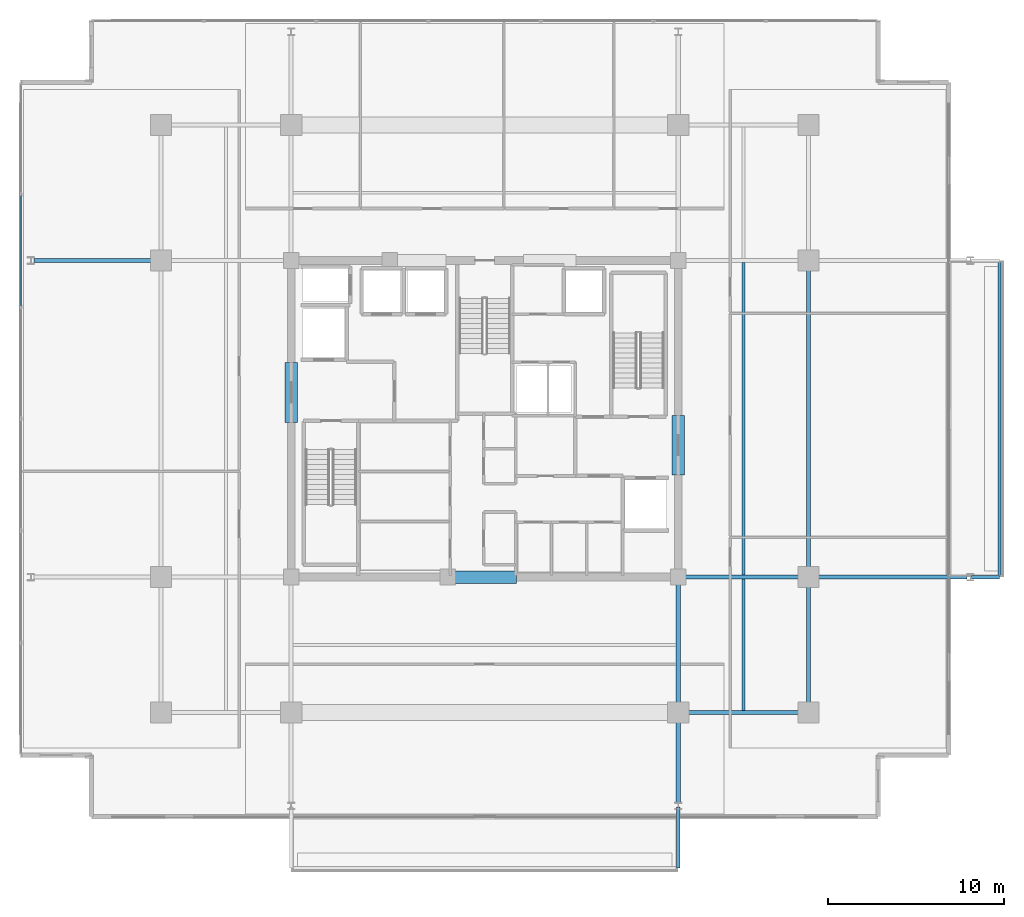
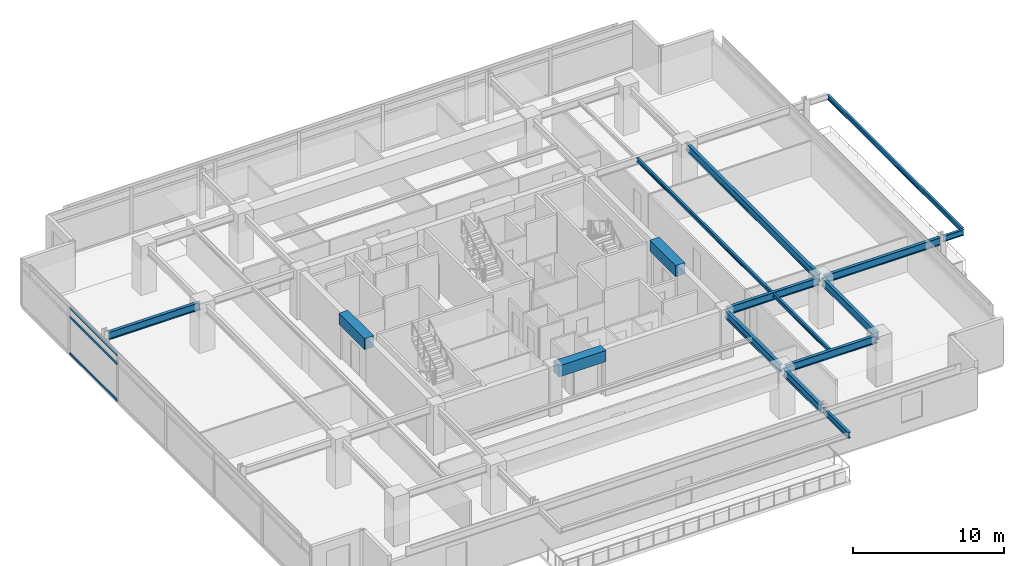
# One storey, part 6 of 24: 16 beams, 3 members, 1 element without a shape of its own.
"""IFC4 building model written with IfcOpenShell, lengths in metres."""

from ifc_helpers import new_model, si_unit, direction, frame, origin, origin_2d, place, context, subcontext, project, spatial, rectangle, hollow_rectangle, i_section, extrude, material, material_profile, profile_set, type_object, element, aggregate, save


model = new_model("IFC4")

# Units and contexts
model_context = context("Model", 3, precision=1e-05, world=origin(), true_north=direction((0.0, 1.0)))
body_context = subcontext(model_context, "Body", "Model", "MODEL_VIEW")
ifc_project = project(units=[si_unit("LENGTHUNIT", "METRE"), si_unit("AREAUNIT", "SQUARE_METRE"), si_unit("VOLUMEUNIT", "CUBIC_METRE"), si_unit("PLANEANGLEUNIT", "RADIAN"), si_unit("MASSUNIT", "GRAM", prefix="KILO")], contexts=[model_context])

# Site, building, storey
site_placement = place(None, origin())
site = spatial("IfcSite", under=ifc_project, at=site_placement, CompositionType="ELEMENT")
building_placement = place(site_placement, origin())
building = spatial("IfcBuilding", under=site, at=building_placement, Name="Kovane Verandah Tower", CompositionType="ELEMENT")
storey_placement = place(building_placement, frame((0.0, 0.0, 259.199951171875)))
storey = spatial("IfcBuildingStorey", under=building, at=storey_placement, Name="L60", CompositionType="ELEMENT", Elevation=259.199951171875)

# Beams
ifc_material_1 = material(Name="Concrete C60/75", Category="concrete")
ifc_material_profile_1 = material_profile(ifc_material_1, rectangle(XDim=0.699951171875, YDim=0.89990234375, at=origin_2d()), Name="RCB700x900")
ifc_profile_set_1 = profile_set([ifc_material_profile_1], Name="Concrete C60/75")
beam_type_1 = type_object("IfcBeamType", Name="BM-LINTEL-700x900", PredefinedType="LINTEL", material=ifc_profile_set_1)
beam_1_placement = place(storey_placement, frame((38.199951171875, 18.5, 3.3349609375), z_axis=(1.0, 0.0, 0.0), x_axis=(0.0, 1.0, 0.0)))
element("IfcBeam", 1, at=beam_1_placement, inside=storey, type_object=beam_type_1, Name="L60 Core Coupling Lintel CL-S", PredefinedType="LINTEL", context=body_context, shape_type="SweptSolid", body=[
    extrude(rectangle(XDim=0.699951171875, YDim=0.89990234375, at=origin_2d()), origin(), (0.0, 0.0, 1.0), 3.60009765625),
])
for number, where, z_axis, x_axis, name in (
    (2, (29.0, 27.300048828125, 3.3349609375), (0.0, 1.0, 0.0), (-1.0, 0.0, 0.0), "L60 Core Coupling Lintel CL-W"),
    (3, (51.0, 24.300048828125, 3.3349609375), (0.0, 1.0, 0.0), (-1.0, 0.0, 0.0), "L60 Core Coupling Lintel CL-E"),
):
    element("IfcBeam", number, at=place(storey_placement, frame(where, z_axis=z_axis, x_axis=x_axis)), inside=storey, type_object=beam_type_1, Name=name, PredefinedType="LINTEL", context=body_context, shape_type="SweptSolid", body=[
        extrude(rectangle(XDim=0.699951171875, YDim=0.89990234375, at=origin_2d()), origin(), (0.0, 0.0, 1.0), 3.39990234375),
    ])
ifc_material_2 = material(Name="Steel S355", Category="steel")
ifc_material_profile_2 = material_profile(ifc_material_2, i_section(OverallWidth=0.230224609375, OverallDepth=0.6171875, WebThickness=0.01318359375, FlangeThickness=0.022216796875, FilletRadius=0.0126953125, at=origin_2d()), Name="UB610x229x140")
ifc_profile_set_2 = profile_set([ifc_material_profile_2], Name="Steel S355")
beam_type_2 = type_object("IfcBeamType", Name="BM-UB610x140", PredefinedType="BEAM", material=ifc_profile_set_2)
beam_2_placement = place(storey_placement, frame((51.179931640625, 10.800048828125, 3.4765625), z_axis=(1.0, 0.0, 0.0), x_axis=(0.0, 1.0, 0.0)))
element("IfcBeam", 4, at=beam_2_placement, inside=storey, type_object=beam_type_2, Name="L60 Primary Tower Girder G-RS3", PredefinedType="BEAM", context=body_context, shape_type="SweptSolid", body=[
    extrude(i_section(OverallWidth=0.230224609375, OverallDepth=0.6171875, WebThickness=0.01318359375, FlangeThickness=0.022216796875, FilletRadius=0.0126953125, at=origin_2d()), origin(), (0.0, 0.0, 1.0), 7.0400390625),
])
beam_3_placement = place(storey_placement, frame((58.39990234375, 10.97998046875, 3.4765625), z_axis=(0.0, 1.0, 0.0), x_axis=(-1.0, 0.0, 0.0)))
element("IfcBeam", 5, at=beam_3_placement, inside=storey, type_object=beam_type_2, Name="L60 Primary Tower Girder G-RE1", PredefinedType="BEAM", context=body_context, shape_type="SweptSolid", body=[
    extrude(i_section(OverallWidth=0.230224609375, OverallDepth=0.6171875, WebThickness=0.01318359375, FlangeThickness=0.022216796875, FilletRadius=0.0126953125, at=origin_2d()), origin(), (0.0, 0.0, 1.0), 7.340087890625),
])
beam_4_placement = place(storey_placement, frame((58.39990234375, 18.679931640625, 3.4765625), z_axis=(0.0, 1.0, 0.0), x_axis=(-1.0, 0.0, 0.0)))
element("IfcBeam", 6, at=beam_4_placement, inside=storey, type_object=beam_type_2, Name="L60 Primary Tower Girder G-RE2", PredefinedType="BEAM", context=body_context, shape_type="SweptSolid", body=[
    extrude(i_section(OverallWidth=0.230224609375, OverallDepth=0.6171875, WebThickness=0.01318359375, FlangeThickness=0.022216796875, FilletRadius=0.0126953125, at=origin_2d()), origin(), (0.0, 0.0, 1.0), 17.64013671875),
])
beam_5_placement = place(storey_placement, frame((51.179931640625, 18.5, 3.4765625), z_axis=(1.0, 0.0, 0.0), x_axis=(0.0, 1.0, 0.0)))
element("IfcBeam", 7, at=beam_5_placement, inside=storey, type_object=beam_type_2, Name="L60 Primary Tower Girder G-E1", PredefinedType="BEAM", context=body_context, shape_type="SweptSolid", body=[
    extrude(i_section(OverallWidth=0.230224609375, OverallDepth=0.6171875, WebThickness=0.01318359375, FlangeThickness=0.022216796875, FilletRadius=0.0126953125, at=origin_2d()), origin(), (0.0, 0.0, 1.0), 7.0400390625),
])
beam_6_placement = place(storey_placement, frame((51.0, 18.320068359375, 3.4765625), z_axis=(0.0, -1.0, 0.0), x_axis=(1.0, 0.0, 0.0)))
element("IfcBeam", 8, at=beam_6_placement, inside=storey, type_object=beam_type_2, Name="L60 Primary Tower Girder G-S2", PredefinedType="BEAM", context=body_context, shape_type="SweptSolid", body=[
    extrude(i_section(OverallWidth=0.230224609375, OverallDepth=0.6171875, WebThickness=0.01318359375, FlangeThickness=0.022216796875, FilletRadius=0.0126953125, at=origin_2d()), origin(), (0.0, 0.0, 1.0), 7.340087890625),
])
beam_7_placement = place(storey_placement, frame((21.419921875, 36.5, 3.451416015625), z_axis=(-1.0, 0.0, 0.0), x_axis=(0.0, -1.0, 0.0)))
element("IfcBeam", 9, at=beam_7_placement, inside=storey, type_object=beam_type_2, Name="L60 Primary Tower Girder G-VW2", PredefinedType="BEAM", context=body_context, shape_type="SweptSolid", body=[
    extrude(i_section(OverallWidth=0.230224609375, OverallDepth=0.6171875, WebThickness=0.01318359375, FlangeThickness=0.022216796875, FilletRadius=0.0126953125, at=origin_2d()), origin(), (0.0, 0.0, 1.0), 7.0400390625),
])
beam_8_placement = place(storey_placement, frame((58.580078125, 18.5, 3.451416015625), z_axis=(1.0, 0.0, 0.0), x_axis=(0.0, 1.0, 0.0)))
element("IfcBeam", 10, at=beam_8_placement, inside=storey, type_object=beam_type_2, Name="L60 Primary Tower Girder G-VE1", PredefinedType="BEAM", context=body_context, shape_type="SweptSolid", body=[
    extrude(i_section(OverallWidth=0.230224609375, OverallDepth=0.6171875, WebThickness=0.01318359375, FlangeThickness=0.022216796875, FilletRadius=0.0126953125, at=origin_2d()), origin(), (0.0, 0.0, 1.0), 8.83984375),
])
beam_9_placement = place(storey_placement, frame((51.0, 10.6201171875, 3.451416015625), z_axis=(0.0, -1.0, 0.0), x_axis=(1.0, 0.0, 0.0)))
element("IfcBeam", 11, at=beam_9_placement, inside=storey, type_object=beam_type_2, Name="L60 Primary Tower Girder G-VS2", PredefinedType="BEAM", context=body_context, shape_type="SweptSolid", body=[
    extrude(i_section(OverallWidth=0.230224609375, OverallDepth=0.6171875, WebThickness=0.01318359375, FlangeThickness=0.022216796875, FilletRadius=0.0126953125, at=origin_2d()), origin(), (0.0, 0.0, 1.0), 4.940185546875),
])

# Curtain wall, members
ifc_material_3 = material(Name="Champagne Anodised Aluminium Frame with Low-E Clear Laminated Glass", Category="aluminium")
curtain_wall_type = type_object("IfcCurtainWallType", Name="CW-SYS-05-HIGH", PredefinedType="NOTDEFINED", material=ifc_material_3)
curtain_wall_placement = place(storey_placement, origin())
curtain_wall = element("IfcCurtainWall", 12, at=curtain_wall_placement, inside=storey, type_object=curtain_wall_type, Name="L60 W Unitised Curtain Wall", PredefinedType="NOTDEFINED")
ifc_material_4 = material(Name="Champagne Anodised Aluminium 6063-T6", Category="aluminium")
ifc_material_profile_3 = material_profile(ifc_material_4, hollow_rectangle(XDim=0.0849609375, YDim=0.18994140625, WallThickness=0.00390625, at=origin_2d()), Name="AL85x190x4")
ifc_profile_set_3 = profile_set([ifc_material_profile_3], Name="Champagne Anodised Aluminium 6063-T6")
member_type = type_object("IfcMemberType", Name="CW-TRN-85x190", PredefinedType="USERDEFINED", material=ifc_profile_set_3)
member_1_placement = place(storey_placement, frame((13.633544921875, 40.195556640625, 0.050048828125), z_axis=(0.0, -1.0, 0.0), x_axis=(1.0, 0.0, 0.0)))
member_1 = element("IfcMember", 13, at=member_1_placement, type_object=member_type, Name="L60 W Unitised Curtain Wall Transom TB Bay 2", ObjectType="TRANSOM", PredefinedType="USERDEFINED", context=body_context, shape_type="SweptSolid", body=[
    extrude(hollow_rectangle(XDim=0.0849609375, YDim=0.18994140625, WallThickness=0.00390625, at=origin_2d()), origin(), (0.0, 0.0, 1.0), 6.27294921875),
])
member_2_placement = place(storey_placement, frame((13.633544921875, 40.195556640625, 3.005126953125), z_axis=(0.0, -1.0, 0.0), x_axis=(1.0, 0.0, 0.0)))
member_2 = element("IfcMember", 14, at=member_2_placement, type_object=member_type, Name="L60 W Unitised Curtain Wall Transom TM Bay 2", ObjectType="TRANSOM", PredefinedType="USERDEFINED", context=body_context, shape_type="SweptSolid", body=[
    extrude(hollow_rectangle(XDim=0.0849609375, YDim=0.18994140625, WallThickness=0.00390625, at=origin_2d()), origin(), (0.0, 0.0, 1.0), 6.27294921875),
])
member_3_placement = place(storey_placement, frame((13.633544921875, 40.195556640625, 3.735107421875), z_axis=(0.0, -1.0, 0.0), x_axis=(1.0, 0.0, 0.0)))
member_3 = element("IfcMember", 15, at=member_3_placement, type_object=member_type, Name="L60 W Unitised Curtain Wall Transom TT Bay 2", ObjectType="TRANSOM", PredefinedType="USERDEFINED", context=body_context, shape_type="SweptSolid", body=[
    extrude(hollow_rectangle(XDim=0.0849609375, YDim=0.18994140625, WallThickness=0.00390625, at=origin_2d()), origin(), (0.0, 0.0, 1.0), 6.27294921875),
])
aggregate(curtain_wall, [member_1, member_2, member_3])

# Beams
ifc_material_profile_4 = material_profile(ifc_material_2, i_section(OverallWidth=0.1669921875, OverallDepth=0.310302734375, WebThickness=0.0078125, FlangeThickness=0.013671875, FilletRadius=0.0087890625, at=origin_2d()), Name="UB305x165x54")
ifc_profile_set_4 = profile_set([ifc_material_profile_4], Name="Steel S355")
beam_type_3 = type_object("IfcBeamType", Name="JST-UB305x54", PredefinedType="JOIST", material=ifc_profile_set_4)
beam_10_placement = place(storey_placement, frame((54.699951171875, 18.613037109375, 3.6298828125), z_axis=(0.0, 1.0, 0.0), x_axis=(-1.0, 0.0, 0.0)))
element("IfcBeam", 16, at=beam_10_placement, inside=storey, type_object=beam_type_3, Name="L60 Secondary Composite Joist J-E1", PredefinedType="JOIST", context=body_context, shape_type="SweptSolid", body=[
    extrude(i_section(OverallWidth=0.1669921875, OverallDepth=0.310302734375, WebThickness=0.0078125, FlangeThickness=0.013671875, FilletRadius=0.0087890625, at=origin_2d()), origin(), (0.0, 0.0, 1.0), 17.77392578125),
])
beam_11_placement = place(storey_placement, frame((54.699951171875, 10.9130859375, 3.6298828125), z_axis=(0.0, 1.0, 0.0), x_axis=(-1.0, 0.0, 0.0)))
element("IfcBeam", 17, at=beam_11_placement, inside=storey, type_object=beam_type_3, Name="L60 Secondary Composite Joist J-SE1", PredefinedType="JOIST", context=body_context, shape_type="SweptSolid", body=[
    extrude(i_section(OverallWidth=0.1669921875, OverallDepth=0.310302734375, WebThickness=0.0078125, FlangeThickness=0.013671875, FilletRadius=0.0087890625, at=origin_2d()), origin(), (0.0, 0.0, 1.0), 7.473876953125),
])
ifc_material_profile_5 = material_profile(ifc_material_2, i_section(OverallWidth=0.19287109375, OverallDepth=0.46728515625, WebThickness=0.011474609375, FlangeThickness=0.01953125, FilletRadius=0.01025390625, at=origin_2d()), Name="UB457x191x98")
ifc_profile_set_5 = profile_set([ifc_material_profile_5], Name="Steel S355")
beam_type_4 = type_object("IfcBeamType", Name="JST-UB457x98", PredefinedType="JOIST", material=ifc_profile_set_5)
beam_12_placement = place(storey_placement, frame((51.0, 5.419921875, 3.5263671875), z_axis=(0.0, -1.0, 0.0), x_axis=(1.0, 0.0, 0.0)))
element("IfcBeam", 18, at=beam_12_placement, inside=storey, type_object=beam_type_4, Name="L60 South Planter Girder 2", PredefinedType="JOIST", context=body_context, shape_type="SweptSolid", body=[
    extrude(i_section(OverallWidth=0.19287109375, OverallDepth=0.46728515625, WebThickness=0.011474609375, FlangeThickness=0.01953125, FilletRadius=0.01025390625, at=origin_2d()), origin(), (0.0, 0.0, 1.0), 3.449951171875),
])
beam_13_placement = place(storey_placement, frame((67.679931640625, 18.5, 3.5263671875), z_axis=(1.0, 0.0, 0.0), x_axis=(0.0, 1.0, 0.0)))
element("IfcBeam", 19, at=beam_13_placement, inside=storey, type_object=beam_type_4, Name="L60 East Planter Girder 1", PredefinedType="JOIST", context=body_context, shape_type="SweptSolid", body=[
    extrude(i_section(OverallWidth=0.19287109375, OverallDepth=0.46728515625, WebThickness=0.011474609375, FlangeThickness=0.01953125, FilletRadius=0.01025390625, at=origin_2d()), origin(), (0.0, 0.0, 1.0), 1.57763671875),
])
ifc_material_profile_6 = material_profile(ifc_material_2, i_section(OverallWidth=0.173095703125, OverallDepth=0.36328125, WebThickness=0.009033203125, FlangeThickness=0.015625, FilletRadius=0.01025390625, at=origin_2d()), Name="UB356x171x67")
ifc_profile_set_6 = profile_set([ifc_material_profile_6], Name="Steel S355")
beam_type_5 = type_object("IfcBeamType", Name="SPD-UB356x67", PredefinedType="USERDEFINED", material=ifc_profile_set_6)
beam_14_placement = place(storey_placement, frame((69.257568359375, 18.594482421875, 3.578369140625), z_axis=(0.0, 1.0, 0.0), x_axis=(-1.0, 0.0, 0.0)))
element("IfcBeam", 20, at=beam_14_placement, inside=storey, type_object=beam_type_5, Name="L60 East Planter Edge Spandrel", ObjectType="SPANDREL", PredefinedType="USERDEFINED", context=body_context, shape_type="SweptSolid", body=[
    extrude(i_section(OverallWidth=0.173095703125, OverallDepth=0.36328125, WebThickness=0.009033203125, FlangeThickness=0.015625, FilletRadius=0.01025390625, at=origin_2d()), origin(), (0.0, 0.0, 1.0), 17.81103515625),
])

save(model, "model.ifc")
